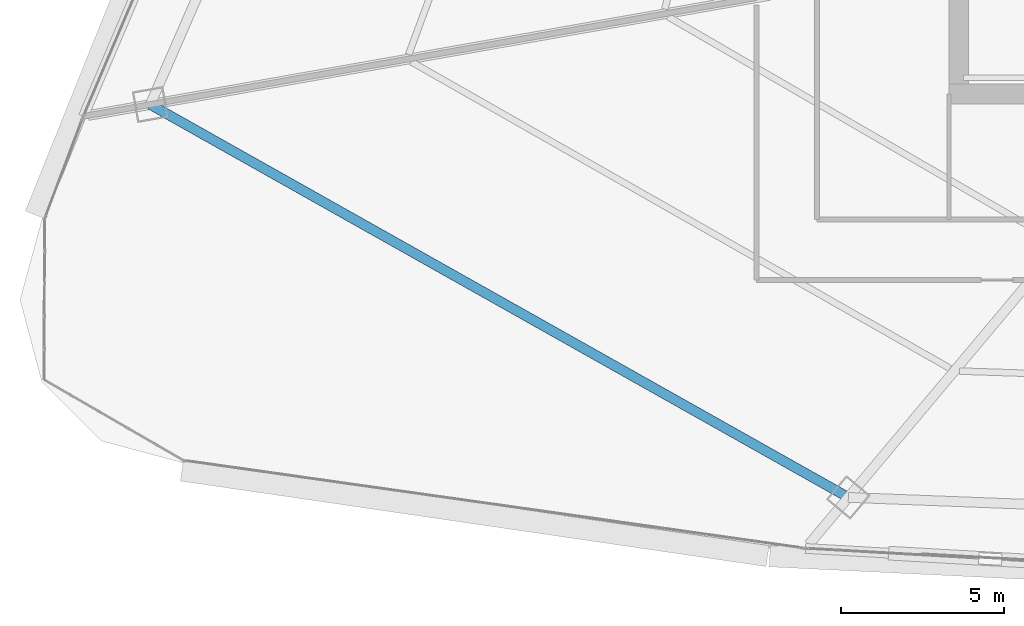
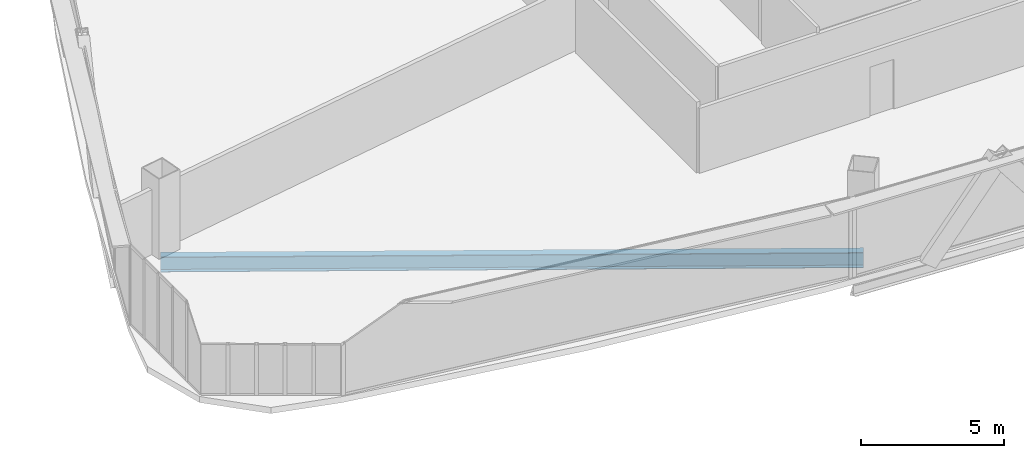
# One storey, part 5 of 42: 1 beam.
"""IFC4 building model written with IfcOpenShell, lengths in metres."""

from ifc_helpers import new_model, si_unit, direction, frame, origin, origin_2d, place, context, subcontext, project, spatial, i_section, extrude, source, transform, mapped, material, material_profile, profile_set, type_object, element, save


model = new_model("IFC4")

# Units and contexts
model_context = context("Model", 3, precision=1e-05, world=origin(), true_north=direction((0.0, 1.0)))
body_context = subcontext(model_context, "Body", "Model", "MODEL_VIEW")
ifc_project = project(units=[si_unit("LENGTHUNIT", "METRE"), si_unit("AREAUNIT", "SQUARE_METRE"), si_unit("VOLUMEUNIT", "CUBIC_METRE"), si_unit("PLANEANGLEUNIT", "RADIAN"), si_unit("MASSUNIT", "GRAM", prefix="KILO"), si_unit("THERMODYNAMICTEMPERATUREUNIT", "KELVIN"), si_unit("POWERUNIT", "WATT")], contexts=[model_context])

# Site, building, storey
site_placement = place(None, origin())
site = spatial("IfcSite", under=ifc_project, at=site_placement, CompositionType="ELEMENT")
building_placement = place(site_placement, origin())
building = spatial("IfcBuilding", under=site, at=building_placement, Name="Yunzhuo Pagoda Commons", CompositionType="ELEMENT")
storey_placement = place(building_placement, frame((0.0, 0.0, 133.510009765625)))
storey = spatial("IfcBuildingStorey", under=building, at=storey_placement, Name="L33", CompositionType="ELEMENT", Elevation=133.510009765625)

# Beam
ifc_material = material(Name="Structural steel Q355B", Category="steel")
ifc_material_profile = material_profile(ifc_material, i_section(OverallWidth=0.300048828125, OverallDepth=0.64990234375, WebThickness=0.012939453125, FlangeThickness=0.02197265625, at=origin_2d()), Name="Structural steel Q355B")
ifc_profile_set = profile_set([ifc_material_profile], Name="Structural steel Q355B")
beam_type = type_object("IfcBeamType", Name="B-RG2 Beam HN 650x300x13x22", PredefinedType="BEAM", material=ifc_profile_set)
shared_shape = source(origin(), body_context, "Body", "SweptSolid", [
    extrude(i_section(OverallWidth=0.300048828125, OverallDepth=0.64990234375, WebThickness=0.012939453125, FlangeThickness=0.02197265625, at=origin_2d()), origin(), (0.0, 0.0, 1.0), 24.56982421875),
])
beam_placement = place(storey_placement, frame((11.0029296875, 27.176513671875, -0.5849609375), z_axis=(0.871469103633, -0.490450406681, 0.0), x_axis=(0.490450406681, 0.871469103633, 0.0)))
element("IfcBeam", 1, at=beam_placement, inside=storey, type_object=beam_type, Name="L33 column-ring beam 12", PredefinedType="BEAM", context=body_context, shape_type="MappedRepresentation", body=[
    mapped(shared_shape, transform((0.0, 0.0, 0.0), scale=1.0)),
])

save(model, "model.ifc")
